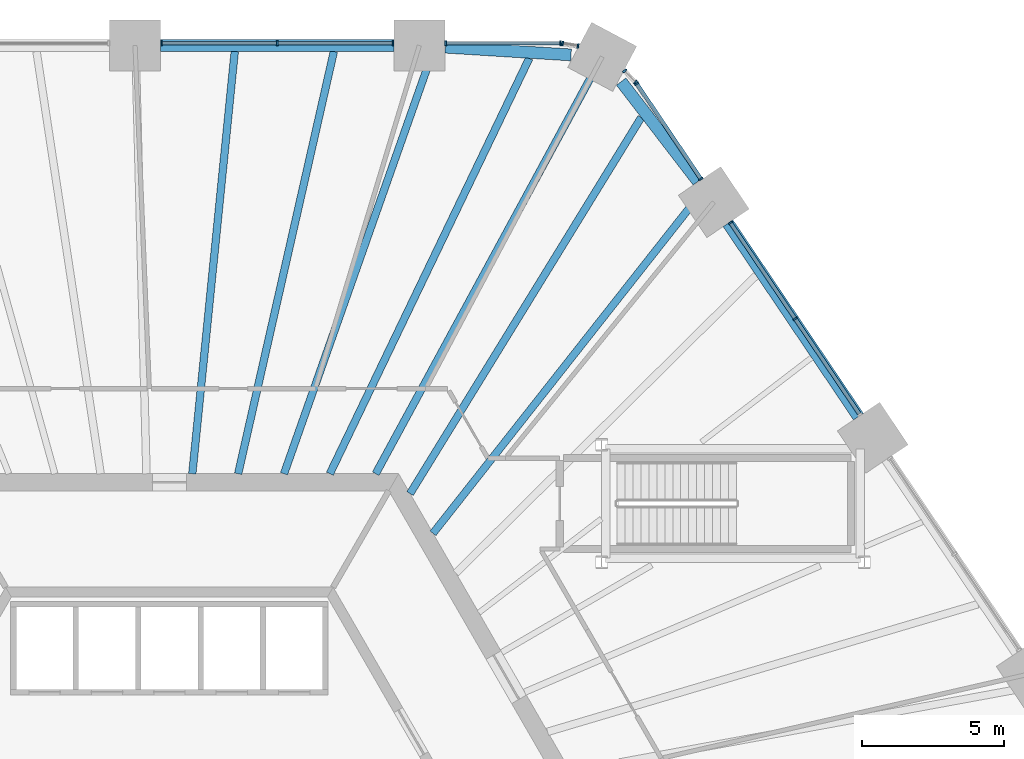
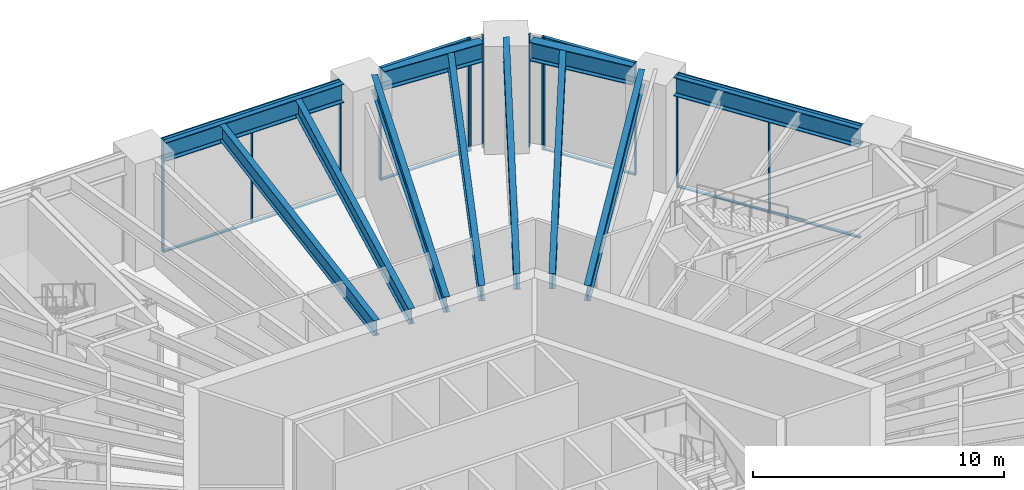
# One storey, part 10 of 30: 25 members, 11 beams, 6 elements without a shape of their own.
"""IFC4 building model written with IfcOpenShell, lengths in metres."""

import ifcopenshell
import ifcopenshell.guid

model = None  # the IFC model being written
_history = None  # IfcOwnerHistory: only IFC2X3 demands one
_inside = {}  # id of a spatial element -> (the spatial element, [elements in it])
_under = {}  # id of a project, library or spatial element -> (it, [spatial elements below it])
_declared = {}  # id of a project -> (the project, [libraries it declares])
_typed = {}  # id of a type object -> (the type object, [elements of that type])
_made_of = {}  # id of a material, layer set ... -> (it, [elements and type objects made of it])


def new_model(schema):
    """Start an empty IFC model of exactly this schema.

    Asked for "IFC4X3", IfcOpenShell would pick the latest addendum, in which some entities
    have other attributes; the version numbers below select the first issue.
    IFC2X3 requires an IfcOwnerHistory on every rooted entity: one is made here for all.
    """
    global model, _history
    if schema == "IFC4X3":
        model = ifcopenshell.file(schema_version=(4, 3, 0, 0))
    else:
        model = ifcopenshell.file(schema=schema)
    _inside.clear()
    _under.clear()
    _declared.clear()
    _typed.clear()
    _made_of.clear()
    _history = None
    if model.schema == "IFC2X3":
        org = make("IfcOrganization", Name="unknown")
        user = make(
            "IfcPersonAndOrganization",
            ThePerson=make("IfcPerson", FamilyName="unknown"),
            TheOrganization=org,
        )
        app = make(
            "IfcApplication",
            ApplicationDeveloper=org,
            Version="unknown",
            ApplicationFullName="unknown",
            ApplicationIdentifier="unknown",
        )
        _history = make(
            "IfcOwnerHistory",
            OwningUser=user,
            OwningApplication=app,
            ChangeAction="ADDED",
            CreationDate=0,
        )
    return model


def make(cls, **values):
    """One entity of the class cls with the attributes given. An attribute that is None is left unset."""
    return model.create_entity(
        cls, **{name: value for name, value in values.items() if value is not None}
    )


def rooted(cls, **values):
    """An entity with a GlobalId (a new one), such as an element, a storey or a relation."""
    return make(cls, GlobalId=ifcopenshell.guid.new(), OwnerHistory=_history, **values)


def si_unit(unit_type, name, prefix=None):
    """IfcSIUnit, for example si_unit("LENGTHUNIT", "METRE", prefix="MILLI")."""
    return make("IfcSIUnit", UnitType=unit_type, Prefix=prefix, Name=name)


def assignment(units):
    """IfcUnitAssignment: the units of a project."""
    return None if units is None else make("IfcUnitAssignment", Units=units)


def point(xyz):
    """IfcCartesianPoint."""
    return None if xyz is None else make("IfcCartesianPoint", Coordinates=xyz)


def direction(xyz):
    """IfcDirection."""
    return None if xyz is None else make("IfcDirection", DirectionRatios=xyz)


def frame(location, z_axis=None, x_axis=None):
    """IfcAxis2Placement3D, a coordinate frame: its origin and axes. An axis left out is left unset."""
    return make(
        "IfcAxis2Placement3D",
        Location=point(location),
        Axis=direction(z_axis),
        RefDirection=direction(x_axis),
    )


def frame_2d(location, x_axis=None):
    """IfcAxis2Placement2D, a coordinate frame in the plane: its origin and x axis."""
    return make(
        "IfcAxis2Placement2D", Location=point(location), RefDirection=direction(x_axis)
    )


def origin():
    """The frame at (0, 0, 0) with its axes left unset."""
    return frame((0.0, 0.0, 0.0))


def origin_2d():
    """The frame at (0, 0) in the plane with its x axis left unset."""
    return frame_2d((0.0, 0.0))


def place(relative_to, where):
    """IfcLocalPlacement: puts the frame where relative to a parent placement (None: the world)."""
    return make(
        "IfcLocalPlacement", PlacementRelTo=relative_to, RelativePlacement=where
    )


def context(
    kind, dimensions, precision=None, world=None, true_north=None, identifier=None
):
    """IfcGeometricRepresentationContext, for example the 3D "Model" context."""
    return make(
        "IfcGeometricRepresentationContext",
        ContextIdentifier=identifier,
        ContextType=kind,
        CoordinateSpaceDimension=dimensions,
        Precision=precision,
        WorldCoordinateSystem=world,
        TrueNorth=true_north,
    )


def subcontext(parent, identifier, kind, view, scale=None):
    """IfcGeometricRepresentationSubContext, for example "Body" below "Model"."""
    return make(
        "IfcGeometricRepresentationSubContext",
        ContextIdentifier=identifier,
        ContextType=kind,
        ParentContext=parent,
        TargetScale=scale,
        TargetView=view,
    )


def project(units=None, contexts=None):
    """IfcProject with its units and contexts."""
    return rooted(
        "IfcProject",
        Name="project",
        RepresentationContexts=contexts,
        UnitsInContext=assignment(units),
    )


def spatial(cls, under=None, at=None, **own):
    """A site, building, storey or space (cls), placed at a placement, below another one or the project."""
    s = rooted(cls, ObjectPlacement=at, **own)
    if under is not None:
        _under.setdefault(under.id(), (under, []))[1].append(s)
    return s


def profile(cls, at=None, kind="AREA", **sizes):
    """A parametric profile (cls). Its sizes go by their IFC names, for example OverallWidth=200.0."""
    return make(cls, ProfileType=kind, Position=at, **sizes)


def rectangle(**sizes):
    """IfcRectangleProfileDef."""
    return profile("IfcRectangleProfileDef", **sizes)


def i_section(**sizes):
    """IfcIShapeProfileDef."""
    return profile("IfcIShapeProfileDef", **sizes)


def extrude(swept, where, along, depth):
    """IfcExtrudedAreaSolid: the profile swept, set in the frame where, extruded along a direction by depth."""
    return make(
        "IfcExtrudedAreaSolid",
        SweptArea=swept,
        Position=where,
        ExtrudedDirection=direction(along),
        Depth=depth,
    )


def shape(context_of_items, identifier, shape_type, items):
    """IfcShapeRepresentation: the items that make up one representation, for example the "Body"."""
    return make(
        "IfcShapeRepresentation",
        ContextOfItems=context_of_items,
        RepresentationIdentifier=identifier,
        RepresentationType=shape_type,
        Items=items,
    )


def material(Name=None, Category=None):
    """IfcMaterial."""
    return make("IfcMaterial", Name=Name, Category=Category)


def material_profile(
    of_material, cross_section, Name=None, Category=None, Priority=None
):
    """IfcMaterialProfile: a cross section and its material."""
    return make(
        "IfcMaterialProfile",
        Name=Name,
        Material=of_material,
        Profile=cross_section,
        Priority=Priority,
        Category=Category,
    )


def profile_set(profiles, Name=None, composite=None):
    """IfcMaterialProfileSet."""
    return make(
        "IfcMaterialProfileSet",
        Name=Name,
        MaterialProfiles=profiles,
        CompositeProfile=composite,
    )


def made_of(thing, what):
    """Note that an element or type object is made of a material, layer set ...; save() writes the relation."""
    if what is not None:
        _made_of.setdefault(what.id(), (what, []))[1].append(thing)
    return thing


def type_object(cls, material=None, **own):
    """A type object (cls), such as IfcWallType, which elements share."""
    return made_of(rooted(cls, **own), material)


def element(
    cls,
    number,
    at=None,
    inside=None,
    cuts=None,
    type_object=None,
    material=None,
    context=None,
    identifier="Body",
    shape_type=None,
    held_by="IfcProductDefinitionShape",
    body=None,
    shapes=None,
    **own,
):
    """One element of the class cls, such as IfcWall. Its Tag is "e" and its number.

    at: its placement. inside: the storey or other place that contains it. cuts: it is an
    opening in that element (IfcRelVoidsElement). A single representation is given by context,
    identifier, shape_type and body (its items); several are given by shapes. held_by: the class
    of the entity that holds the representations. save() writes the other relations.
    """
    e = rooted(cls, Tag="e%d" % number, ObjectPlacement=at, **own)
    if body is not None:
        shapes = [shape(context, identifier, shape_type, body)]
    if shapes is not None:
        e.Representation = make(held_by, Representations=shapes)
    if inside is not None:
        _inside.setdefault(inside.id(), (inside, []))[1].append(e)
    if cuts is not None:
        rooted(
            "IfcRelVoidsElement", RelatingBuildingElement=cuts, RelatedOpeningElement=e
        )
    if type_object is not None:
        _typed.setdefault(type_object.id(), (type_object, []))[1].append(e)
    return made_of(e, material)


def aggregate(whole, parts):
    """IfcRelAggregates: a whole, such as a stair, and the parts it consists of."""
    return rooted("IfcRelAggregates", RelatingObject=whole, RelatedObjects=parts)


def save(model, path):
    """Write the relations noted so far, then the file.

    IfcRelAggregates (storeys below a building ...), IfcRelContainedInSpatialStructure (elements
    in a storey), IfcRelDefinesByType, IfcRelAssociatesMaterial and IfcRelDeclares: one each for
    every whole, place, type object, material and project.
    """
    for whole, parts in _under.values():
        aggregate(whole, parts)
    for where, things in _inside.values():
        rooted(
            "IfcRelContainedInSpatialStructure",
            RelatedElements=things,
            RelatingStructure=where,
        )
    for kind, things in _typed.values():
        rooted("IfcRelDefinesByType", RelatedObjects=things, RelatingType=kind)
    for what, things in _made_of.values():
        rooted("IfcRelAssociatesMaterial", RelatedObjects=things, RelatingMaterial=what)
    for by, libraries in _declared.values():
        rooted("IfcRelDeclares", RelatingContext=by, RelatedDefinitions=libraries)
    model.write(path)


model = new_model("IFC4")

# Units and contexts
model_context = context("Model", 3, precision=1e-05, world=origin(), true_north=direction((0.0, 1.0)))
body_context = subcontext(model_context, "Body", "Model", "MODEL_VIEW")
ifc_project = project(units=[si_unit("LENGTHUNIT", "METRE"), si_unit("AREAUNIT", "SQUARE_METRE"), si_unit("VOLUMEUNIT", "CUBIC_METRE"), si_unit("PLANEANGLEUNIT", "RADIAN"), si_unit("MASSUNIT", "GRAM", prefix="KILO")], contexts=[model_context])

# Site, building, storey
site_placement = place(None, origin())
site = spatial("IfcSite", under=ifc_project, at=site_placement, CompositionType="ELEMENT")
building_placement = place(site_placement, origin())
building = spatial("IfcBuilding", under=site, at=building_placement, Name="Tarnside Tower", CompositionType="ELEMENT")
storey_placement = place(building_placement, frame((0.0, 0.0, 15.0)))
storey = spatial("IfcBuildingStorey", under=building, at=storey_placement, Name="L02", CompositionType="ELEMENT", Elevation=15.0)

# Beams
ifc_material_1 = material(Name="Steel S355", Category="steel")
ifc_material_profile_1 = material_profile(ifc_material_1, i_section(OverallWidth=0.26513671875, OverallDepth=0.75390625, WebThickness=0.0126953125, FlangeThickness=0.017578125, FilletRadius=0.0166015625, at=origin_2d()), Name="UB 762x267x147")
ifc_profile_set_1 = profile_set([ifc_material_profile_1], Name="Steel S355")
beam_type_1 = type_object("IfcBeamType", Name="Floor beam UB 762x267x147", PredefinedType="BEAM", material=ifc_profile_set_1)
beam_1_placement = place(storey_placement, frame((9.283935546875, 28.860107421875, 4.873046875), z_axis=(-0.332689636341, -0.943036375688, 0.0), x_axis=(0.943036375688, -0.332689636341, 0.0)))
element("IfcBeam", 1, at=beam_1_placement, inside=storey, type_object=beam_type_1, Name="Floor beam F1.02", PredefinedType="BEAM", context=body_context, shape_type="SweptSolid", body=[
    extrude(i_section(OverallWidth=0.26513671875, OverallDepth=0.75390625, WebThickness=0.0126953125, FlangeThickness=0.017578125, FilletRadius=0.0166015625, at=origin_2d()), origin(), (0.0, 0.0, 1.0), 15.7578125),
])
beam_2_placement = place(storey_placement, frame((5.799560546875, 28.8896484375, 4.873046875), z_axis=(-0.221044632162, -0.975263692851, 0.0), x_axis=(0.975263692851, -0.221044632162, 0.0)))
element("IfcBeam", 2, at=beam_2_placement, inside=storey, type_object=beam_type_1, Name="Floor beam F1.03", PredefinedType="BEAM", context=body_context, shape_type="SweptSolid", body=[
    extrude(i_section(OverallWidth=0.26513671875, OverallDepth=0.75390625, WebThickness=0.0126953125, FlangeThickness=0.017578125, FilletRadius=0.0166015625, at=origin_2d()), origin(), (0.0, 0.0, 1.0), 15.267333984375),
])
beam_3_placement = place(storey_placement, frame((2.304931640625, 28.889892578125, 4.873046875), z_axis=(-0.100006054522, -0.994986828586, 0.0), x_axis=(0.994986828586, -0.100006054522, 0.0)))
element("IfcBeam", 3, at=beam_3_placement, inside=storey, type_object=beam_type_1, Name="Floor beam F1.04", PredefinedType="BEAM", context=body_context, shape_type="SweptSolid", body=[
    extrude(i_section(OverallWidth=0.26513671875, OverallDepth=0.75390625, WebThickness=0.0126953125, FlangeThickness=0.017578125, FilletRadius=0.0166015625, at=origin_2d()), origin(), (0.0, 0.0, 1.0), 14.96484375),
])
beam_4_placement = place(storey_placement, frame((18.718017578125, 23.85693359375, 4.873046875), z_axis=(-0.618949882872, -0.785430482279, 0.0), x_axis=(0.785430482279, -0.618949882872, 0.0)))
element("IfcBeam", 4, at=beam_4_placement, inside=storey, type_object=beam_type_1, Name="Floor beam F6.08", PredefinedType="BEAM", context=body_context, shape_type="SweptSolid", body=[
    extrude(i_section(OverallWidth=0.26513671875, OverallDepth=0.75390625, WebThickness=0.0126953125, FlangeThickness=0.017578125, FilletRadius=0.0166015625, at=origin_2d()), origin(), (0.0, 0.0, 1.0), 15.2236328125),
])
beam_5_placement = place(storey_placement, frame((16.638427734375, 26.562744140625, 4.873046875), z_axis=(-0.523617838834, -0.851953260957, 0.0), x_axis=(0.851953260957, -0.523617838834, 0.0)))
element("IfcBeam", 5, at=beam_5_placement, inside=storey, type_object=beam_type_1, Name="Floor beam F6.09", PredefinedType="BEAM", context=body_context, shape_type="SweptSolid", body=[
    extrude(i_section(OverallWidth=0.26513671875, OverallDepth=0.75390625, WebThickness=0.0126953125, FlangeThickness=0.017578125, FilletRadius=0.0166015625, at=origin_2d()), origin(), (0.0, 0.0, 1.0), 15.5673828125),
])
ifc_material_profile_2 = material_profile(ifc_material_1, i_section(OverallWidth=0.2666015625, OverallDepth=0.76220703125, WebThickness=0.014404296875, FlangeThickness=0.021484375, FilletRadius=0.0166015625, at=origin_2d()), Name="UB 762x267x173")
ifc_profile_set_2 = profile_set([ifc_material_profile_2], Name="Steel S355")
beam_type_2 = type_object("IfcBeamType", Name="Floor beam UB 762x267x173", PredefinedType="BEAM", material=ifc_profile_set_2)
beam_6_placement = place(storey_placement, frame((12.690185546875, 28.6494140625, 4.868896484375), z_axis=(-0.432756465896, -0.901510865839, 0.0), x_axis=(0.901510865839, -0.432756465896, 0.0)))
element("IfcBeam", 6, at=beam_6_placement, inside=storey, type_object=beam_type_2, Name="Floor beam F1.01", PredefinedType="BEAM", context=body_context, shape_type="SweptSolid", body=[
    extrude(i_section(OverallWidth=0.2666015625, OverallDepth=0.76220703125, WebThickness=0.014404296875, FlangeThickness=0.021484375, FilletRadius=0.0166015625, at=origin_2d()), origin(), (0.0, 0.0, 1.0), 16.249755859375),
])
beam_7_placement = place(storey_placement, frame((15.14404296875, 28.49755859375, 4.868896484375), z_axis=(-0.477058221257, -0.878871693441, 0.0), x_axis=(0.878871693441, -0.477058221257, 0.0)))
element("IfcBeam", 7, at=beam_7_placement, inside=storey, type_object=beam_type_2, Name="Floor beam C6", PredefinedType="BEAM", context=body_context, shape_type="SweptSolid", body=[
    extrude(i_section(OverallWidth=0.2666015625, OverallDepth=0.76220703125, WebThickness=0.014404296875, FlangeThickness=0.021484375, FilletRadius=0.0166015625, at=origin_2d()), origin(), (0.0, 0.0, 1.0), 16.49560546875),
])
ifc_material_2 = material(Name="Steel S460", Category="steel")
ifc_material_profile_3 = material_profile(ifc_material_2, i_section(OverallWidth=0.42041015625, OverallDepth=0.9208984375, WebThickness=0.021484375, FlangeThickness=0.03662109375, FilletRadius=0.024169921875, at=origin_2d()), Name="UB 914x419x388")
ifc_profile_set_3 = profile_set([ifc_material_profile_3], Name="Steel S460")
beam_type_3 = type_object("IfcBeamType", Name="Perimeter girder UB 914x419x388", PredefinedType="BEAM", material=ifc_profile_set_3)
beam_8_placement = place(storey_placement, frame((7.91259765625, 29.10009765625, 4.78955078125), z_axis=(-1.0, 0.0, 0.0), x_axis=(0.0, -1.0, 0.0)))
element("IfcBeam", 8, at=beam_8_placement, inside=storey, type_object=beam_type_3, Name="Perimeter girder M01", PredefinedType="BEAM", context=body_context, shape_type="SweptSolid", body=[
    extrude(i_section(OverallWidth=0.42041015625, OverallDepth=0.9208984375, WebThickness=0.021484375, FlangeThickness=0.03662109375, FilletRadius=0.024169921875, at=origin_2d()), origin(), (0.0, 0.0, 1.0), 8.2236328125),
])
beam_9_placement = place(storey_placement, frame((24.298828125, 16.0146484375, 4.78955078125), z_axis=(-0.559179633433, 0.829046523154, 0.0), x_axis=(-0.829046523154, -0.559179633433, 0.0)))
element("IfcBeam", 9, at=beam_9_placement, inside=storey, type_object=beam_type_3, Name="Perimeter girder M22", PredefinedType="BEAM", context=body_context, shape_type="SweptSolid", body=[
    extrude(i_section(OverallWidth=0.42041015625, OverallDepth=0.9208984375, WebThickness=0.021484375, FlangeThickness=0.03662109375, FilletRadius=0.024169921875, at=origin_2d()), origin(), (0.0, 0.0, 1.0), 8.223388671875),
])
for number, where, z_axis, x_axis, name in (
    (10, (18.636474609375, 24.307861328125, 4.78955078125), (-0.609328053132, 0.792918232649, 0.0), (-0.792918232649, -0.609328053132, 0.0), "Perimeter girder M23"),
    (11, (14.16259765625, 28.768798828125, 4.78955078125), (-0.998088356317, 0.061803179402, 0.0), (-0.061803179402, -0.998088356317, 0.0), "Perimeter girder M24"),
):
    element("IfcBeam", number, at=place(storey_placement, frame(where, z_axis=z_axis, x_axis=x_axis)), inside=storey, type_object=beam_type_3, Name=name, PredefinedType="BEAM", context=body_context, shape_type="SweptSolid", body=[
        extrude(i_section(OverallWidth=0.42041015625, OverallDepth=0.9208984375, WebThickness=0.021484375, FlangeThickness=0.03662109375, FilletRadius=0.024169921875, at=origin_2d()), origin(), (0.0, 0.0, 1.0), 4.440185546875),
    ])

# Curtain wall, members
ifc_material_3 = material(Name="Retail shopfront glazing wall", Category="glass")
curtain_wall_type = type_object("IfcCurtainWallType", Name="Retail shopfront glazing wall", PredefinedType="NOTDEFINED", material=ifc_material_3)
curtain_wall_1_placement = place(storey_placement, origin())
curtain_wall_1 = element("IfcCurtainWall", 12, at=curtain_wall_1_placement, inside=storey, type_object=curtain_wall_type, Name="Retail shopfront glazing L02 00.0", PredefinedType="NOTDEFINED")
ifc_material_4 = material(Name="Aluminium alloy 6063", Category="aluminium")
ifc_material_profile_4 = material_profile(ifc_material_4, rectangle(XDim=0.159912109375, YDim=0.06005859375, at=origin_2d()), Name="Retail shopfront glazing mullion 60 x 160")
ifc_profile_set_4 = profile_set([ifc_material_profile_4], Name="Aluminium alloy 6063")
member_type_1 = type_object("IfcMemberType", Name="Retail shopfront glazing mullion 60 x 160", PredefinedType="MULLION", material=ifc_profile_set_4)
member_1_placement = place(storey_placement, frame((7.882568359375, 29.179931640625, -0.25), z_axis=(0.0, 0.0, 1.0), x_axis=(0.0, -1.0, 0.0)))
member_1 = element("IfcMember", 13, at=member_1_placement, type_object=member_type_1, Name="CW2 mullion 1", PredefinedType="MULLION", context=body_context, shape_type="SweptSolid", body=[
    extrude(rectangle(XDim=0.159912109375, YDim=0.06005859375, at=origin_2d()), origin(), (0.0, 0.0, 1.0), 5.5),
])
member_2_placement = place(storey_placement, frame((3.80078125, 29.179931640625, -0.25), z_axis=(0.0, 0.0, 1.0), x_axis=(0.0, -1.0, 0.0)))
member_2 = element("IfcMember", 14, at=member_2_placement, type_object=member_type_1, Name="CW2 mullion 2", PredefinedType="MULLION", context=body_context, shape_type="SweptSolid", body=[
    extrude(rectangle(XDim=0.159912109375, YDim=0.06005859375, at=origin_2d()), origin(), (0.0, 0.0, 1.0), 5.5),
])
member_3_placement = place(storey_placement, frame((-0.281005859375, 29.179931640625, -0.25), z_axis=(0.0, 0.0, 1.0), x_axis=(0.0, -1.0, 0.0)))
member_3 = element("IfcMember", 15, at=member_3_placement, type_object=member_type_1, Name="CW2 mullion 3", PredefinedType="MULLION", context=body_context, shape_type="SweptSolid", body=[
    extrude(rectangle(XDim=0.159912109375, YDim=0.06005859375, at=origin_2d()), origin(), (0.0, 0.0, 1.0), 5.5),
])

curtain_wall_2_placement = place(storey_placement, origin())
curtain_wall_2 = element("IfcCurtainWall", 16, at=curtain_wall_2_placement, inside=storey, type_object=curtain_wall_type, Name="Retail shopfront glazing L02 21.0", PredefinedType="NOTDEFINED")
member_4_placement = place(storey_placement, frame((22.06591796875, 19.46826171875, -0.25), z_axis=(0.0, 0.0, 1.0), x_axis=(-0.829037572545, -0.559192903485, 0.0)))
member_4 = element("IfcMember", 17, at=member_4_placement, type_object=member_type_1, Name="CW2 mullion 2", PredefinedType="MULLION", context=body_context, shape_type="SweptSolid", body=[
    extrude(rectangle(XDim=0.159912109375, YDim=0.06005859375, at=origin_2d()), origin(), (0.0, 0.0, 1.0), 5.5),
])
member_5_placement = place(storey_placement, frame((19.783447265625, 22.852294921875, -0.25), z_axis=(0.0, 0.0, 1.0), x_axis=(-0.829037572545, -0.559192903485, 0.0)))
member_5 = element("IfcMember", 18, at=member_5_placement, type_object=member_type_1, Name="CW2 mullion 3", PredefinedType="MULLION", context=body_context, shape_type="SweptSolid", body=[
    extrude(rectangle(XDim=0.159912109375, YDim=0.06005859375, at=origin_2d()), origin(), (0.0, 0.0, 1.0), 5.5),
])

curtain_wall_3_placement = place(storey_placement, origin())
curtain_wall_3 = element("IfcCurtainWall", 19, at=curtain_wall_3_placement, inside=storey, type_object=curtain_wall_type, Name="Retail shopfront glazing L02 22.0", PredefinedType="NOTDEFINED")
member_6_placement = place(storey_placement, frame((18.743408203125, 24.394287109375, -0.25), z_axis=(0.0, 0.0, 1.0), x_axis=(-0.829037572594, -0.559192903413, 0.0)))
member_6 = element("IfcMember", 20, at=member_6_placement, type_object=member_type_1, Name="CW2 mullion 1", PredefinedType="MULLION", context=body_context, shape_type="SweptSolid", body=[
    extrude(rectangle(XDim=0.159912109375, YDim=0.06005859375, at=origin_2d()), origin(), (0.0, 0.0, 1.0), 5.5),
])
member_7_placement = place(storey_placement, frame((16.4775390625, 27.75341796875, -0.25), z_axis=(0.0, 0.0, 1.0), x_axis=(-0.829037572594, -0.559192903413, 0.0)))
member_7 = element("IfcMember", 21, at=member_7_placement, type_object=member_type_1, Name="CW2 mullion 2", PredefinedType="MULLION", context=body_context, shape_type="SweptSolid", body=[
    extrude(rectangle(XDim=0.159912109375, YDim=0.06005859375, at=origin_2d()), origin(), (0.0, 0.0, 1.0), 5.5),
])

curtain_wall_4_placement = place(storey_placement, origin())
curtain_wall_4 = element("IfcCurtainWall", 22, at=curtain_wall_4_placement, inside=storey, type_object=curtain_wall_type, Name="Retail shopfront glazing L02 22.1", PredefinedType="NOTDEFINED")
member_8_placement = place(storey_placement, frame((16.43212890625, 27.810302734375, -0.25), z_axis=(0.0, 0.0, 1.0), x_axis=(-0.727373641625, -0.686241637814, 0.0)))
member_8 = element("IfcMember", 23, at=member_8_placement, type_object=member_type_1, Name="CW2 mullion 1", PredefinedType="MULLION", context=body_context, shape_type="SweptSolid", body=[
    extrude(rectangle(XDim=0.159912109375, YDim=0.06005859375, at=origin_2d()), origin(), (0.0, 0.0, 1.0), 5.5),
])
member_9_placement = place(storey_placement, frame((16.055908203125, 28.208984375, -0.25), z_axis=(0.0, 0.0, 1.0), x_axis=(-0.727373641625, -0.686241637814, 0.0)))
member_9 = element("IfcMember", 24, at=member_9_placement, type_object=member_type_1, Name="CW2 mullion 2", PredefinedType="MULLION", context=body_context, shape_type="SweptSolid", body=[
    extrude(rectangle(XDim=0.159912109375, YDim=0.06005859375, at=origin_2d()), origin(), (0.0, 0.0, 1.0), 5.5),
])
aggregate(curtain_wall_4, [member_8, member_9])

curtain_wall_5_placement = place(storey_placement, origin())
curtain_wall_5 = element("IfcCurtainWall", 25, at=curtain_wall_5_placement, inside=storey, type_object=curtain_wall_type, Name="Retail shopfront glazing L02 23.0", PredefinedType="NOTDEFINED")
member_10_placement = place(storey_placement, frame((14.407958984375, 29.085205078125, -0.25), z_axis=(0.0, 0.0, 1.0), x_axis=(-0.162177923823, -0.986761531995, 0.0)))
member_10 = element("IfcMember", 26, at=member_10_placement, type_object=member_type_1, Name="CW2 mullion 1", PredefinedType="MULLION", context=body_context, shape_type="SweptSolid", body=[
    extrude(rectangle(XDim=0.159912109375, YDim=0.06005859375, at=origin_2d()), origin(), (0.0, 0.0, 1.0), 5.5),
])
member_11_placement = place(storey_placement, frame((13.866943359375, 29.174072265625, -0.25), z_axis=(0.0, 0.0, 1.0), x_axis=(-0.162177923823, -0.986761531995, 0.0)))
member_11 = element("IfcMember", 27, at=member_11_placement, type_object=member_type_1, Name="CW2 mullion 2", PredefinedType="MULLION", context=body_context, shape_type="SweptSolid", body=[
    extrude(rectangle(XDim=0.159912109375, YDim=0.06005859375, at=origin_2d()), origin(), (0.0, 0.0, 1.0), 5.5),
])
aggregate(curtain_wall_5, [member_10, member_11])

curtain_wall_6_placement = place(storey_placement, origin())
curtain_wall_6 = element("IfcCurtainWall", 28, at=curtain_wall_6_placement, inside=storey, type_object=curtain_wall_type, Name="Retail shopfront glazing L02 23.1", PredefinedType="NOTDEFINED")
member_12_placement = place(storey_placement, frame((13.79443359375, 29.179931640625, -0.25), z_axis=(0.0, 0.0, 1.0), x_axis=(0.0, -1.0, 0.0)))
member_12 = element("IfcMember", 29, at=member_12_placement, type_object=member_type_1, Name="CW2 mullion 1", PredefinedType="MULLION", context=body_context, shape_type="SweptSolid", body=[
    extrude(rectangle(XDim=0.159912109375, YDim=0.06005859375, at=origin_2d()), origin(), (0.0, 0.0, 1.0), 5.5),
])
member_13_placement = place(storey_placement, frame((9.74267578125, 29.179931640625, -0.25), z_axis=(0.0, 0.0, 1.0), x_axis=(0.0, -1.0, 0.0)))
member_13 = element("IfcMember", 30, at=member_13_placement, type_object=member_type_1, Name="CW2 mullion 2", PredefinedType="MULLION", context=body_context, shape_type="SweptSolid", body=[
    extrude(rectangle(XDim=0.159912109375, YDim=0.06005859375, at=origin_2d()), origin(), (0.0, 0.0, 1.0), 5.5),
])

# Member
ifc_material_profile_5 = material_profile(ifc_material_4, rectangle(XDim=0.139892578125, YDim=0.06005859375, at=origin_2d()), Name="Retail shopfront glazing transom 60 x 140")
ifc_profile_set_5 = profile_set([ifc_material_profile_5], Name="Aluminium alloy 6063")
member_type_2 = type_object("IfcMemberType", Name="Retail shopfront glazing transom 60 x 140", PredefinedType="USERDEFINED", material=ifc_profile_set_5)
member_14_placement = place(storey_placement, frame((7.8525390625, 29.179931640625, -0.219970703125), z_axis=(-1.0, 0.0, 0.0), x_axis=(0.0, -1.0, 0.0)))
member_14 = element("IfcMember", 31, at=member_14_placement, type_object=member_type_2, Name="CW2 transom 1.1", ObjectType="TRANSOM", PredefinedType="USERDEFINED", context=body_context, shape_type="SweptSolid", body=[
    extrude(rectangle(XDim=0.139892578125, YDim=0.06005859375, at=origin_2d()), origin(), (0.0, 0.0, 1.0), 4.021728515625),
])

member_15_placement = place(storey_placement, frame((7.8525390625, 29.179931640625, 5.219970703125), z_axis=(-1.0, 0.0, 0.0), x_axis=(0.0, -1.0, 0.0)))
member_15 = element("IfcMember", 32, at=member_15_placement, type_object=member_type_2, Name="CW2 transom 1.2", ObjectType="TRANSOM", PredefinedType="USERDEFINED", context=body_context, shape_type="SweptSolid", body=[
    extrude(rectangle(XDim=0.139892578125, YDim=0.06005859375, at=origin_2d()), origin(), (0.0, 0.0, 1.0), 4.021728515625),
])

member_16_placement = place(storey_placement, frame((3.770751953125, 29.179931640625, -0.219970703125), z_axis=(-1.0, 0.0, 0.0), x_axis=(0.0, -1.0, 0.0)))
member_16 = element("IfcMember", 33, at=member_16_placement, type_object=member_type_2, Name="CW2 transom 2.1", ObjectType="TRANSOM", PredefinedType="USERDEFINED", context=body_context, shape_type="SweptSolid", body=[
    extrude(rectangle(XDim=0.139892578125, YDim=0.06005859375, at=origin_2d()), origin(), (0.0, 0.0, 1.0), 4.021728515625),
])

member_17_placement = place(storey_placement, frame((3.770751953125, 29.179931640625, 5.219970703125), z_axis=(-1.0, 0.0, 0.0), x_axis=(0.0, -1.0, 0.0)))
member_17 = element("IfcMember", 34, at=member_17_placement, type_object=member_type_2, Name="CW2 transom 2.2", ObjectType="TRANSOM", PredefinedType="USERDEFINED", context=body_context, shape_type="SweptSolid", body=[
    extrude(rectangle(XDim=0.139892578125, YDim=0.06005859375, at=origin_2d()), origin(), (0.0, 0.0, 1.0), 4.021728515625),
])

aggregate(curtain_wall_1, [member_1, member_2, member_3, member_14, member_15, member_16, member_17])

member_18_placement = place(storey_placement, frame((24.331787109375, 16.109130859375, -0.219970703125), z_axis=(-0.559202799254, 0.829030897679, 0.0), x_axis=(-0.829030897679, -0.559202799254, 0.0)))
member_18 = element("IfcMember", 35, at=member_18_placement, type_object=member_type_2, Name="CW2 transom 1.1", ObjectType="TRANSOM", PredefinedType="USERDEFINED", context=body_context, shape_type="SweptSolid", body=[
    extrude(rectangle(XDim=0.139892578125, YDim=0.06005859375, at=origin_2d()), origin(), (0.0, 0.0, 1.0), 4.021728515625),
])

member_19_placement = place(storey_placement, frame((24.331787109375, 16.109130859375, 5.219970703125), z_axis=(-0.559202799254, 0.829030897679, 0.0), x_axis=(-0.829030897679, -0.559202799254, 0.0)))
member_19 = element("IfcMember", 36, at=member_19_placement, type_object=member_type_2, Name="CW2 transom 1.2", ObjectType="TRANSOM", PredefinedType="USERDEFINED", context=body_context, shape_type="SweptSolid", body=[
    extrude(rectangle(XDim=0.139892578125, YDim=0.06005859375, at=origin_2d()), origin(), (0.0, 0.0, 1.0), 4.021728515625),
])

member_20_placement = place(storey_placement, frame((22.049072265625, 19.4931640625, -0.219970703125), z_axis=(-0.559161075925, 0.829059039617, 0.0), x_axis=(-0.829059039617, -0.559161075925, 0.0)))
member_20 = element("IfcMember", 37, at=member_20_placement, type_object=member_type_2, Name="CW2 transom 2.1", ObjectType="TRANSOM", PredefinedType="USERDEFINED", context=body_context, shape_type="SweptSolid", body=[
    extrude(rectangle(XDim=0.139892578125, YDim=0.06005859375, at=origin_2d()), origin(), (0.0, 0.0, 1.0), 4.021728515625),
])

member_21_placement = place(storey_placement, frame((22.049072265625, 19.4931640625, 5.219970703125), z_axis=(-0.559161075925, 0.829059039617, 0.0), x_axis=(-0.829059039617, -0.559161075925, 0.0)))
member_21 = element("IfcMember", 38, at=member_21_placement, type_object=member_type_2, Name="CW2 transom 2.2", ObjectType="TRANSOM", PredefinedType="USERDEFINED", context=body_context, shape_type="SweptSolid", body=[
    extrude(rectangle(XDim=0.139892578125, YDim=0.06005859375, at=origin_2d()), origin(), (0.0, 0.0, 1.0), 4.021728515625),
])

aggregate(curtain_wall_2, [member_4, member_5, member_18, member_19, member_20, member_21])

member_22_placement = place(storey_placement, frame((18.7265625, 24.419189453125, -0.219970703125), z_axis=(-0.559194461084, 0.829036521929, 0.0), x_axis=(-0.829036521929, -0.559194461084, 0.0)))
member_22 = element("IfcMember", 39, at=member_22_placement, type_object=member_type_2, Name="CW2 transom 1.1", ObjectType="TRANSOM", PredefinedType="USERDEFINED", context=body_context, shape_type="SweptSolid", body=[
    extrude(rectangle(XDim=0.139892578125, YDim=0.06005859375, at=origin_2d()), origin(), (0.0, 0.0, 1.0), 3.99169921875),
])

member_23_placement = place(storey_placement, frame((18.7265625, 24.419189453125, 5.219970703125), z_axis=(-0.559194461084, 0.829036521929, 0.0), x_axis=(-0.829036521929, -0.559194461084, 0.0)))
member_23 = element("IfcMember", 40, at=member_23_placement, type_object=member_type_2, Name="CW2 transom 1.2", ObjectType="TRANSOM", PredefinedType="USERDEFINED", context=body_context, shape_type="SweptSolid", body=[
    extrude(rectangle(XDim=0.139892578125, YDim=0.06005859375, at=origin_2d()), origin(), (0.0, 0.0, 1.0), 3.99169921875),
])

aggregate(curtain_wall_3, [member_6, member_7, member_22, member_23])

member_24_placement = place(storey_placement, frame((13.764404296875, 29.179931640625, -0.219970703125), z_axis=(-1.0, 0.0, 0.0), x_axis=(0.0, -1.0, 0.0)))
member_24 = element("IfcMember", 41, at=member_24_placement, type_object=member_type_2, Name="CW2 transom 1.1", ObjectType="TRANSOM", PredefinedType="USERDEFINED", context=body_context, shape_type="SweptSolid", body=[
    extrude(rectangle(XDim=0.139892578125, YDim=0.06005859375, at=origin_2d()), origin(), (0.0, 0.0, 1.0), 3.99169921875),
])

member_25_placement = place(storey_placement, frame((13.764404296875, 29.179931640625, 5.219970703125), z_axis=(-1.0, 0.0, 0.0), x_axis=(0.0, -1.0, 0.0)))
member_25 = element("IfcMember", 42, at=member_25_placement, type_object=member_type_2, Name="CW2 transom 1.2", ObjectType="TRANSOM", PredefinedType="USERDEFINED", context=body_context, shape_type="SweptSolid", body=[
    extrude(rectangle(XDim=0.139892578125, YDim=0.06005859375, at=origin_2d()), origin(), (0.0, 0.0, 1.0), 3.99169921875),
])

aggregate(curtain_wall_6, [member_12, member_13, member_24, member_25])

save(model, "model.ifc")
